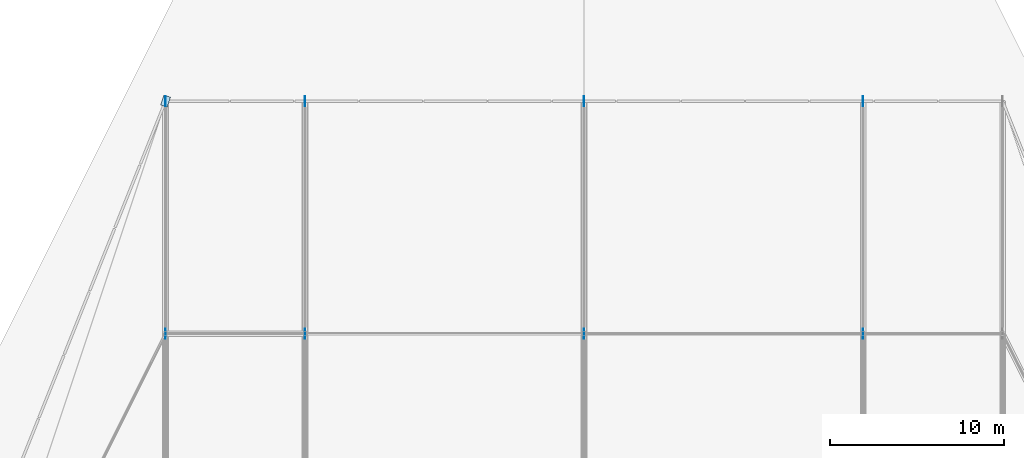
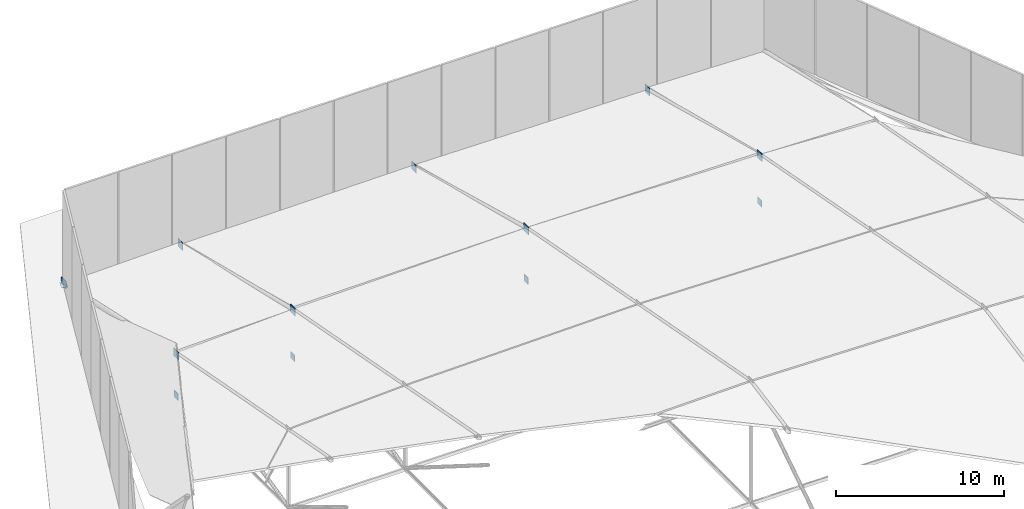
# One storey, part 28 of 30: 13 plates.
"""IFC4 building model written with IfcOpenShell, lengths in metres."""

import ifcopenshell
import ifcopenshell.guid

model = None  # the IFC model being written
_history = None  # IfcOwnerHistory: only IFC2X3 demands one
_inside = {}  # id of a spatial element -> (the spatial element, [elements in it])
_under = {}  # id of a project, library or spatial element -> (it, [spatial elements below it])
_declared = {}  # id of a project -> (the project, [libraries it declares])
_typed = {}  # id of a type object -> (the type object, [elements of that type])
_made_of = {}  # id of a material, layer set ... -> (it, [elements and type objects made of it])


def new_model(schema):
    """Start an empty IFC model of exactly this schema.

    Asked for "IFC4X3", IfcOpenShell would pick the latest addendum, in which some entities
    have other attributes; the version numbers below select the first issue.
    IFC2X3 requires an IfcOwnerHistory on every rooted entity: one is made here for all.
    """
    global model, _history
    if schema == "IFC4X3":
        model = ifcopenshell.file(schema_version=(4, 3, 0, 0))
    else:
        model = ifcopenshell.file(schema=schema)
    _inside.clear()
    _under.clear()
    _declared.clear()
    _typed.clear()
    _made_of.clear()
    _history = None
    if model.schema == "IFC2X3":
        org = make("IfcOrganization", Name="unknown")
        user = make(
            "IfcPersonAndOrganization",
            ThePerson=make("IfcPerson", FamilyName="unknown"),
            TheOrganization=org,
        )
        app = make(
            "IfcApplication",
            ApplicationDeveloper=org,
            Version="unknown",
            ApplicationFullName="unknown",
            ApplicationIdentifier="unknown",
        )
        _history = make(
            "IfcOwnerHistory",
            OwningUser=user,
            OwningApplication=app,
            ChangeAction="ADDED",
            CreationDate=0,
        )
    return model


def make(cls, **values):
    """One entity of the class cls with the attributes given. An attribute that is None is left unset."""
    return model.create_entity(
        cls, **{name: value for name, value in values.items() if value is not None}
    )


def rooted(cls, **values):
    """An entity with a GlobalId (a new one), such as an element, a storey or a relation."""
    return make(cls, GlobalId=ifcopenshell.guid.new(), OwnerHistory=_history, **values)


def si_unit(unit_type, name, prefix=None):
    """IfcSIUnit, for example si_unit("LENGTHUNIT", "METRE", prefix="MILLI")."""
    return make("IfcSIUnit", UnitType=unit_type, Prefix=prefix, Name=name)


def assignment(units):
    """IfcUnitAssignment: the units of a project."""
    return None if units is None else make("IfcUnitAssignment", Units=units)


def point(xyz):
    """IfcCartesianPoint."""
    return None if xyz is None else make("IfcCartesianPoint", Coordinates=xyz)


def direction(xyz):
    """IfcDirection."""
    return None if xyz is None else make("IfcDirection", DirectionRatios=xyz)


def frame(location, z_axis=None, x_axis=None):
    """IfcAxis2Placement3D, a coordinate frame: its origin and axes. An axis left out is left unset."""
    return make(
        "IfcAxis2Placement3D",
        Location=point(location),
        Axis=direction(z_axis),
        RefDirection=direction(x_axis),
    )


def frame_2d(location, x_axis=None):
    """IfcAxis2Placement2D, a coordinate frame in the plane: its origin and x axis."""
    return make(
        "IfcAxis2Placement2D", Location=point(location), RefDirection=direction(x_axis)
    )


def origin():
    """The frame at (0, 0, 0) with its axes left unset."""
    return frame((0.0, 0.0, 0.0))


def origin_2d():
    """The frame at (0, 0) in the plane with its x axis left unset."""
    return frame_2d((0.0, 0.0))


def place(relative_to, where):
    """IfcLocalPlacement: puts the frame where relative to a parent placement (None: the world)."""
    return make(
        "IfcLocalPlacement", PlacementRelTo=relative_to, RelativePlacement=where
    )


def context(
    kind, dimensions, precision=None, world=None, true_north=None, identifier=None
):
    """IfcGeometricRepresentationContext, for example the 3D "Model" context."""
    return make(
        "IfcGeometricRepresentationContext",
        ContextIdentifier=identifier,
        ContextType=kind,
        CoordinateSpaceDimension=dimensions,
        Precision=precision,
        WorldCoordinateSystem=world,
        TrueNorth=true_north,
    )


def subcontext(parent, identifier, kind, view, scale=None):
    """IfcGeometricRepresentationSubContext, for example "Body" below "Model"."""
    return make(
        "IfcGeometricRepresentationSubContext",
        ContextIdentifier=identifier,
        ContextType=kind,
        ParentContext=parent,
        TargetScale=scale,
        TargetView=view,
    )


def project(units=None, contexts=None):
    """IfcProject with its units and contexts."""
    return rooted(
        "IfcProject",
        Name="project",
        RepresentationContexts=contexts,
        UnitsInContext=assignment(units),
    )


def spatial(cls, under=None, at=None, **own):
    """A site, building, storey or space (cls), placed at a placement, below another one or the project."""
    s = rooted(cls, ObjectPlacement=at, **own)
    if under is not None:
        _under.setdefault(under.id(), (under, []))[1].append(s)
    return s


def profile(cls, at=None, kind="AREA", **sizes):
    """A parametric profile (cls). Its sizes go by their IFC names, for example OverallWidth=200.0."""
    return make(cls, ProfileType=kind, Position=at, **sizes)


def rectangle(**sizes):
    """IfcRectangleProfileDef."""
    return profile("IfcRectangleProfileDef", **sizes)


def extrude(swept, where, along, depth):
    """IfcExtrudedAreaSolid: the profile swept, set in the frame where, extruded along a direction by depth."""
    return make(
        "IfcExtrudedAreaSolid",
        SweptArea=swept,
        Position=where,
        ExtrudedDirection=direction(along),
        Depth=depth,
    )


def shape(context_of_items, identifier, shape_type, items):
    """IfcShapeRepresentation: the items that make up one representation, for example the "Body"."""
    return make(
        "IfcShapeRepresentation",
        ContextOfItems=context_of_items,
        RepresentationIdentifier=identifier,
        RepresentationType=shape_type,
        Items=items,
    )


def material(Name=None, Category=None):
    """IfcMaterial."""
    return make("IfcMaterial", Name=Name, Category=Category)


def layer(
    of_material, thickness, ventilated=None, Name=None, Category=None, Priority=None
):
    """IfcMaterialLayer: one layer of a wall or slab, of a material (None: an air gap)."""
    return make(
        "IfcMaterialLayer",
        Material=of_material,
        LayerThickness=thickness,
        IsVentilated=ventilated,
        Name=Name,
        Category=Category,
        Priority=Priority,
    )


def layer_set(layers, Name=None):
    """IfcMaterialLayerSet."""
    return make("IfcMaterialLayerSet", MaterialLayers=layers, LayerSetName=Name)


def made_of(thing, what):
    """Note that an element or type object is made of a material, layer set ...; save() writes the relation."""
    if what is not None:
        _made_of.setdefault(what.id(), (what, []))[1].append(thing)
    return thing


def type_object(cls, material=None, **own):
    """A type object (cls), such as IfcWallType, which elements share."""
    return made_of(rooted(cls, **own), material)


def element(
    cls,
    number,
    at=None,
    inside=None,
    cuts=None,
    type_object=None,
    material=None,
    context=None,
    identifier="Body",
    shape_type=None,
    held_by="IfcProductDefinitionShape",
    body=None,
    shapes=None,
    **own,
):
    """One element of the class cls, such as IfcWall. Its Tag is "e" and its number.

    at: its placement. inside: the storey or other place that contains it. cuts: it is an
    opening in that element (IfcRelVoidsElement). A single representation is given by context,
    identifier, shape_type and body (its items); several are given by shapes. held_by: the class
    of the entity that holds the representations. save() writes the other relations.
    """
    e = rooted(cls, Tag="e%d" % number, ObjectPlacement=at, **own)
    if body is not None:
        shapes = [shape(context, identifier, shape_type, body)]
    if shapes is not None:
        e.Representation = make(held_by, Representations=shapes)
    if inside is not None:
        _inside.setdefault(inside.id(), (inside, []))[1].append(e)
    if cuts is not None:
        rooted(
            "IfcRelVoidsElement", RelatingBuildingElement=cuts, RelatedOpeningElement=e
        )
    if type_object is not None:
        _typed.setdefault(type_object.id(), (type_object, []))[1].append(e)
    return made_of(e, material)


def aggregate(whole, parts):
    """IfcRelAggregates: a whole, such as a stair, and the parts it consists of."""
    return rooted("IfcRelAggregates", RelatingObject=whole, RelatedObjects=parts)


def save(model, path):
    """Write the relations noted so far, then the file.

    IfcRelAggregates (storeys below a building ...), IfcRelContainedInSpatialStructure (elements
    in a storey), IfcRelDefinesByType, IfcRelAssociatesMaterial and IfcRelDeclares: one each for
    every whole, place, type object, material and project.
    """
    for whole, parts in _under.values():
        aggregate(whole, parts)
    for where, things in _inside.values():
        rooted(
            "IfcRelContainedInSpatialStructure",
            RelatedElements=things,
            RelatingStructure=where,
        )
    for kind, things in _typed.values():
        rooted("IfcRelDefinesByType", RelatedObjects=things, RelatingType=kind)
    for what, things in _made_of.values():
        rooted("IfcRelAssociatesMaterial", RelatedObjects=things, RelatingMaterial=what)
    for by, libraries in _declared.values():
        rooted("IfcRelDeclares", RelatingContext=by, RelatedDefinitions=libraries)
    model.write(path)


model = new_model("IFC4")

# Units and contexts
model_context = context("Model", 3, precision=1e-05, world=origin(), true_north=direction((0.0, 1.0)))
body_context = subcontext(model_context, "Body", "Model", "MODEL_VIEW")
ifc_project = project(units=[si_unit("LENGTHUNIT", "METRE"), si_unit("AREAUNIT", "SQUARE_METRE"), si_unit("VOLUMEUNIT", "CUBIC_METRE"), si_unit("PLANEANGLEUNIT", "RADIAN"), si_unit("MASSUNIT", "GRAM", prefix="KILO")], contexts=[model_context])

# Site, building, storey
site_placement = place(None, origin())
site = spatial("IfcSite", under=ifc_project, at=site_placement, CompositionType="ELEMENT")
building_placement = place(site_placement, origin())
building = spatial("IfcBuilding", under=site, at=building_placement, Name="Tazarka Park Arena", CompositionType="ELEMENT")
storey_placement = place(building_placement, frame((0.0, 0.0, 29.39990234375)))
storey = spatial("IfcBuildingStorey", under=building, at=storey_placement, Name="Roof", CompositionType="ELEMENT", Elevation=29.39990234375)

# Plates
ifc_material_1 = material(Name="Steel S460", Category="steel")
ifc_layer_1 = layer(ifc_material_1, 0.030029296875, Name="Steel S460")
ifc_layer_set_1 = layer_set([ifc_layer_1], Name="Steel S460")
plate_type_1 = type_object("IfcPlateType", Name="PLT-PL-01", PredefinedType="SHEET", material=ifc_layer_set_1)
plate_placement = place(storey_placement, frame((64.0, 104.0, -0.134765625), z_axis=(0.0, 0.0, 1.0), x_axis=(0.316145823974, 0.948710608133, 0.0)))
element("IfcPlate", 1, at=plate_placement, inside=storey, type_object=plate_type_1, Name="RPL-16", PredefinedType="SHEET", context=body_context, shape_type="SweptSolid", body=[
    extrude(rectangle(XDim=0.60009765625, YDim=0.39990234375, at=origin_2d()), origin(), (0.0, 0.0, 1.0), 0.030029296875),
])
ifc_material_2 = material(Name="Steel S460", Category="steel")
ifc_layer_2 = layer(ifc_material_2, 0.0439453125, Name="Steel S460")
ifc_layer_set_2 = layer_set([ifc_layer_2], Name="Steel S460")
plate_type_2 = type_object("IfcPlateType", Name="PLT-PL-07", PredefinedType="SHEET", material=ifc_layer_set_2)
for number, where, z_axis, x_axis, name in (
    (2, (64.0, 90.666748046875, 2.67041015625), (0.0, 0.0, 1.0), (1.0, 0.0, 0.0), "ANP-02-5"),
    (3, (64.0, 104.0, -0.280029296875), (0.0, 0.0, 1.0), (1.0, 0.0, 0.0), "ANP-02-6"),
    (4, (72.0, 90.666748046875, 3.043212890625), (0.0, 0.0, 1.0), (1.0, 0.0, 0.0), "ANP-03-5"),
    (5, (72.0, 104.0, -0.280029296875), (0.0, 0.0, 1.0), (1.0, 0.0, 0.0), "ANP-03-6"),
    (6, (88.0, 90.666748046875, 3.341552734375), (0.0, 0.0, 1.0), (1.0, 0.0, 0.0), "ANP-04-5"),
    (7, (88.0, 104.0, -0.280029296875), (0.0, 0.0, 1.0), (1.0, 0.0, 0.0), "ANP-04-6"),
    (8, (104.0, 90.666748046875, 3.043212890625), (0.0, 0.0, 1.0), (1.0, 0.0, 0.0), "ANP-05-5"),
    (9, (104.0, 104.0, -0.280029296875), (0.0, 0.0, 1.0), (1.0, 0.0, 0.0), "ANP-05-6"),
):
    element("IfcPlate", number, at=place(storey_placement, frame(where, z_axis=z_axis, x_axis=x_axis)), inside=storey, type_object=plate_type_2, Name=name, PredefinedType="SHEET", context=body_context, shape_type="SweptSolid", body=[
        extrude(rectangle(XDim=0.0400390625, YDim=0.56005859375, at=origin_2d()), origin(), (0.0, 0.0, 1.0), 0.56005859375),
    ])
ifc_material_3 = material(Name="Steel S460", Category="steel")
ifc_layer_3 = layer(ifc_material_3, 0.035888671875, Name="Steel S460")
ifc_layer_set_3 = layer_set([ifc_layer_3], Name="Steel S460")
plate_type_3 = type_object("IfcPlateType", Name="PLT-PL-15", PredefinedType="USERDEFINED", material=ifc_layer_set_3)
for number, where, z_axis, x_axis, name in (
    (10, (64.0, 90.666748046875, -0.289794921875), (0.0, 0.0, 1.0), (1.0, 0.0, 0.0), "ANB-02-5"),
    (11, (72.0, 90.666748046875, -0.289794921875), (0.0, 0.0, 1.0), (1.0, 0.0, 0.0), "ANB-03-5"),
    (12, (88.0, 90.666748046875, -0.289794921875), (0.0, 0.0, 1.0), (1.0, 0.0, 0.0), "ANB-04-5"),
    (13, (104.0, 90.666748046875, -0.289794921875), (0.0, 0.0, 1.0), (1.0, 0.0, 0.0), "ANB-05-5"),
):
    element("IfcPlate", number, at=place(storey_placement, frame(where, z_axis=z_axis, x_axis=x_axis)), inside=storey, type_object=plate_type_3, Name=name, ObjectType="STIFFENER", PredefinedType="USERDEFINED", context=body_context, shape_type="SweptSolid", body=[
        extrude(rectangle(XDim=0.035888671875, YDim=0.47998046875, at=origin_2d()), origin(), (0.0, 0.0, 1.0), 0.47998046875),
    ])

save(model, "model.ifc")
